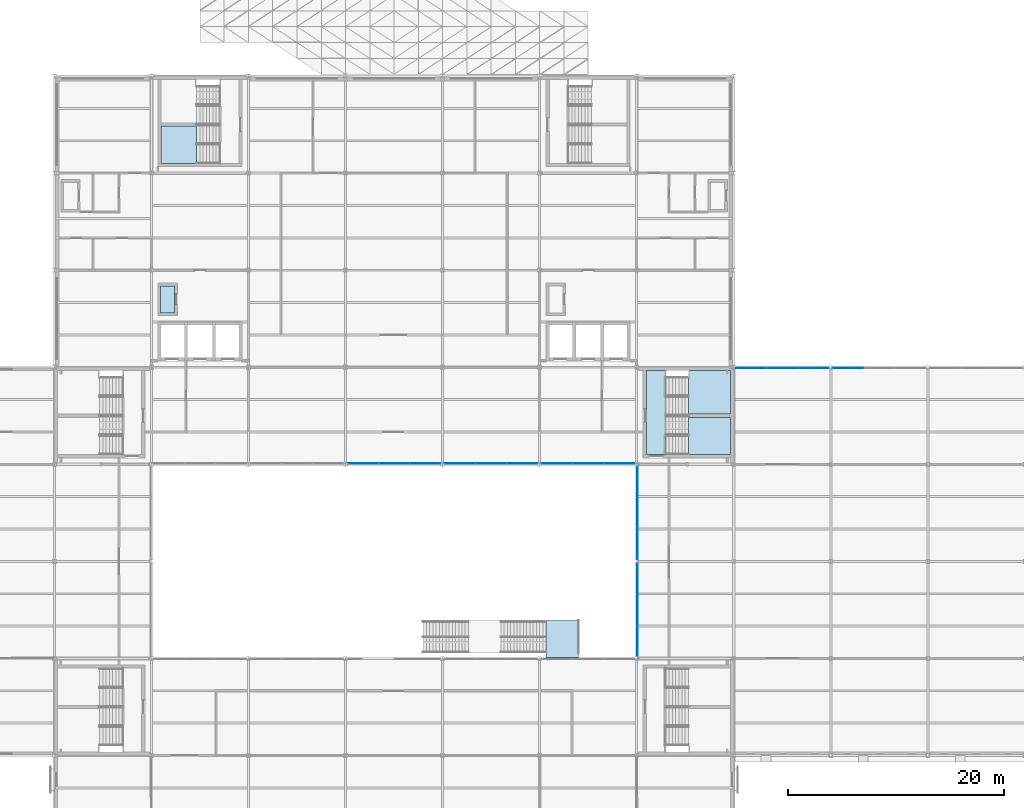
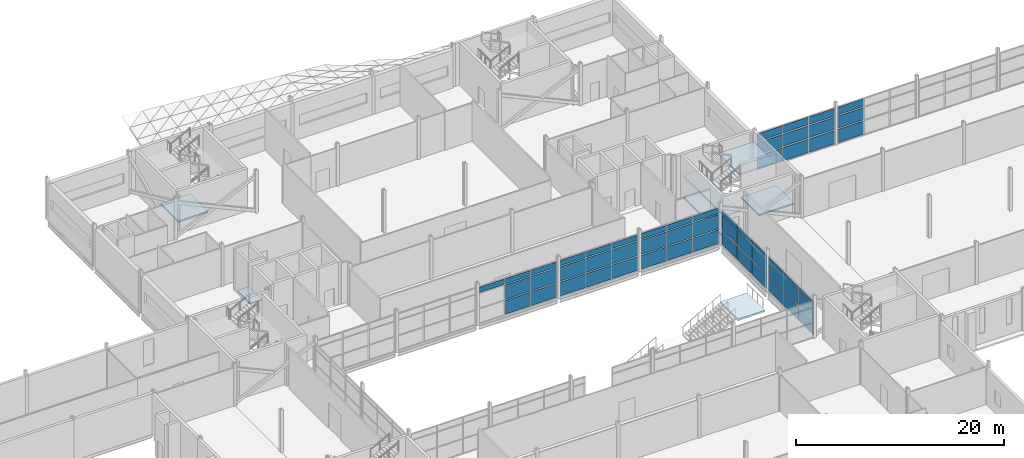
# One storey, part 70 of 112: 55 plates, 7 slabs, 10 elements without a shape of their own.
"""IFC4 building model written with IfcOpenShell, lengths in metres."""

from ifc_helpers import new_model, si_unit, direction, frame, origin, origin_2d, place, context, subcontext, project, spatial, polyline, rectangle, outline, extrude, material, layer, layer_set, type_object, element, aggregate, save


model = new_model("IFC4")

# Units and contexts
model_context = context("Model", 3, precision=1e-05, world=origin(), true_north=direction((0.0, 1.0)))
body_context = subcontext(model_context, "Body", "Model", "MODEL_VIEW")
ifc_project = project(units=[si_unit("LENGTHUNIT", "METRE"), si_unit("AREAUNIT", "SQUARE_METRE"), si_unit("VOLUMEUNIT", "CUBIC_METRE"), si_unit("PLANEANGLEUNIT", "RADIAN"), si_unit("MASSUNIT", "GRAM", prefix="KILO")], contexts=[model_context])

# Site, building, storey
site_placement = place(None, origin())
site = spatial("IfcSite", under=ifc_project, at=site_placement, CompositionType="ELEMENT")
building_placement = place(site_placement, origin())
building = spatial("IfcBuilding", under=site, at=building_placement, Name="Shorebreak Coast Museum", CompositionType="ELEMENT")
storey_placement = place(building_placement, frame((0.0, 0.0, 6.0)))
storey = spatial("IfcBuildingStorey", under=building, at=storey_placement, Name="L01", CompositionType="ELEMENT", Elevation=6.0)

# Stair, slab
ifc_material_1 = material(Name="Concrete N40 (40 MPa)", Category="concrete")
stair_type_1 = type_object("IfcStairType", Name="Feature stair run 5 m", PredefinedType="TWO_STRAIGHT_RUN_STAIR", material=ifc_material_1)
stair_1_placement = place(storey_placement, origin())
stair_1 = element("IfcStair", 1, at=stair_1_placement, inside=storey, type_object=stair_type_1, Name="Feature stair FS-L01", PredefinedType="TWO_STRAIGHT_RUN_STAIR")
ifc_material_2 = material(Name="Concrete N40 (40 MPa)", Category="concrete")
ifc_layer_1 = layer(ifc_material_2, 0.199951171875)
ifc_layer_set_1 = layer_set([ifc_layer_1], Name="Concrete N40 (40 MPa)")
slab_type_1 = type_object("IfcSlabType", Name="Feature stair landing 200", PredefinedType="LANDING", material=ifc_layer_set_1)
slab_1_placement = place(storey_placement, frame((0.0, 0.0, 4.800048828125)))
slab_1 = element("IfcSlab", 2, at=slab_1_placement, type_object=slab_type_1, Name="FS-L01 landing 2", PredefinedType="LANDING", context=body_context, shape_type="SweptSolid", body=[
    extrude(outline(polyline([(99.60009765625, 63.10009765625), (102.60009765625, 63.10009765625), (102.60009765625, 66.5), (99.60009765625, 66.5), (99.60009765625, 63.10009765625)])), origin(), (0.0, 0.0, 1.0), 0.199951171875),
])
aggregate(stair_1, [slab_1])

# Curtain wall, plates
ifc_material_3 = material(Name="Aluminium", Category="aluminium")
ifc_layer_2 = layer(ifc_material_3, 0.1201171875)
ifc_layer_set_2 = layer_set([ifc_layer_2], Name="Aluminium")
curtain_wall_type_1 = type_object("IfcCurtainWallType", Name="Atrium fire screen", PredefinedType="NOTDEFINED", material=ifc_layer_set_2)
curtain_wall_1_placement = place(storey_placement, origin())
curtain_wall_1 = element("IfcCurtainWall", 3, at=curtain_wall_1_placement, inside=storey, type_object=curtain_wall_type_1, Name="Atrium screen L01 N 9", PredefinedType="NOTDEFINED")
ifc_material_4 = material(Name="Glass", Category="glass")
ifc_layer_3 = layer(ifc_material_4, 0.034912109375)
ifc_layer_set_3 = layer_set([ifc_layer_3], Name="Glass")
plate_type_1 = type_object("IfcPlateType", Name="Fire-resisting glass panel 35", PredefinedType="CURTAIN_PANEL", material=ifc_layer_set_3)
plate_1_placement = place(storey_placement, frame((82.6162109375, 81.06005859375, 3.66015625), z_axis=(0.0, 0.0, 1.0), x_axis=(1.0, 0.0, 0.0)))
plate_1 = element("IfcPlate", 4, at=plate_1_placement, type_object=plate_type_1, Name="CW4 panel 1.3", PredefinedType="CURTAIN_PANEL", context=body_context, shape_type="SweptSolid", body=[
    extrude(rectangle(XDim=2.8212890625, YDim=0.034912109375, at=origin_2d()), origin(), (0.0, 0.0, 1.0), 0.642333984375),
])
plate_2_placement = place(storey_placement, frame((85.5, 81.06005859375, 0.119873046875), z_axis=(0.0, 0.0, 1.0), x_axis=(1.0, 0.0, 0.0)))
plate_2 = element("IfcPlate", 5, at=plate_2_placement, type_object=plate_type_1, Name="CW4 panel 2.1", PredefinedType="CURTAIN_PANEL", context=body_context, shape_type="SweptSolid", body=[
    extrude(rectangle(XDim=2.846435546875, YDim=0.034912109375, at=origin_2d()), origin(), (0.0, 0.0, 1.0), 1.6201171875),
])
plate_3_placement = place(storey_placement, frame((85.5, 81.06005859375, 1.85986328125), z_axis=(0.0, 0.0, 1.0), x_axis=(1.0, 0.0, 0.0)))
plate_3 = element("IfcPlate", 6, at=plate_3_placement, type_object=plate_type_1, Name="CW4 panel 2.2", PredefinedType="CURTAIN_PANEL", context=body_context, shape_type="SweptSolid", body=[
    extrude(rectangle(XDim=2.846435546875, YDim=0.034912109375, at=origin_2d()), origin(), (0.0, 0.0, 1.0), 1.679931640625),
])
plate_4_placement = place(storey_placement, frame((85.5, 81.06005859375, 3.66015625), z_axis=(0.0, 0.0, 1.0), x_axis=(1.0, 0.0, 0.0)))
plate_4 = element("IfcPlate", 7, at=plate_4_placement, type_object=plate_type_1, Name="CW4 panel 2.3", PredefinedType="CURTAIN_PANEL", context=body_context, shape_type="SweptSolid", body=[
    extrude(rectangle(XDim=2.846435546875, YDim=0.034912109375, at=origin_2d()), origin(), (0.0, 0.0, 1.0), 0.642333984375),
])
plate_5_placement = place(storey_placement, frame((88.3837890625, 81.06005859375, 0.119873046875), z_axis=(0.0, 0.0, 1.0), x_axis=(1.0, 0.0, 0.0)))
plate_5 = element("IfcPlate", 8, at=plate_5_placement, type_object=plate_type_1, Name="CW4 panel 3.1", PredefinedType="CURTAIN_PANEL", context=body_context, shape_type="SweptSolid", body=[
    extrude(rectangle(XDim=2.8212890625, YDim=0.034912109375, at=origin_2d()), origin(), (0.0, 0.0, 1.0), 1.6201171875),
])
plate_6_placement = place(storey_placement, frame((88.3837890625, 81.06005859375, 1.85986328125), z_axis=(0.0, 0.0, 1.0), x_axis=(1.0, 0.0, 0.0)))
plate_6 = element("IfcPlate", 9, at=plate_6_placement, type_object=plate_type_1, Name="CW4 panel 3.2", PredefinedType="CURTAIN_PANEL", context=body_context, shape_type="SweptSolid", body=[
    extrude(rectangle(XDim=2.8212890625, YDim=0.034912109375, at=origin_2d()), origin(), (0.0, 0.0, 1.0), 1.679931640625),
])
plate_7_placement = place(storey_placement, frame((88.3837890625, 81.06005859375, 3.66015625), z_axis=(0.0, 0.0, 1.0), x_axis=(1.0, 0.0, 0.0)))
plate_7 = element("IfcPlate", 10, at=plate_7_placement, type_object=plate_type_1, Name="CW4 panel 3.3", PredefinedType="CURTAIN_PANEL", context=body_context, shape_type="SweptSolid", body=[
    extrude(rectangle(XDim=2.8212890625, YDim=0.034912109375, at=origin_2d()), origin(), (0.0, 0.0, 1.0), 0.642333984375),
])
aggregate(curtain_wall_1, [plate_1, plate_2, plate_3, plate_4, plate_5, plate_6, plate_7])

curtain_wall_2_placement = place(storey_placement, origin())
curtain_wall_2 = element("IfcCurtainWall", 11, at=curtain_wall_2_placement, inside=storey, type_object=curtain_wall_type_1, Name="Atrium screen L01 N 10", PredefinedType="NOTDEFINED")
plate_8_placement = place(storey_placement, frame((91.6162109375, 81.06005859375, 0.119873046875), z_axis=(0.0, 0.0, 1.0), x_axis=(1.0, 0.0, 0.0)))
plate_8 = element("IfcPlate", 12, at=plate_8_placement, type_object=plate_type_1, Name="CW5 panel 1.1", PredefinedType="CURTAIN_PANEL", context=body_context, shape_type="SweptSolid", body=[
    extrude(rectangle(XDim=2.8212890625, YDim=0.034912109375, at=origin_2d()), origin(), (0.0, 0.0, 1.0), 1.6201171875),
])
plate_9_placement = place(storey_placement, frame((91.6162109375, 81.06005859375, 1.85986328125), z_axis=(0.0, 0.0, 1.0), x_axis=(1.0, 0.0, 0.0)))
plate_9 = element("IfcPlate", 13, at=plate_9_placement, type_object=plate_type_1, Name="CW5 panel 1.2", PredefinedType="CURTAIN_PANEL", context=body_context, shape_type="SweptSolid", body=[
    extrude(rectangle(XDim=2.8212890625, YDim=0.034912109375, at=origin_2d()), origin(), (0.0, 0.0, 1.0), 1.679931640625),
])
plate_10_placement = place(storey_placement, frame((91.6162109375, 81.06005859375, 3.66015625), z_axis=(0.0, 0.0, 1.0), x_axis=(1.0, 0.0, 0.0)))
plate_10 = element("IfcPlate", 14, at=plate_10_placement, type_object=plate_type_1, Name="CW5 panel 1.3", PredefinedType="CURTAIN_PANEL", context=body_context, shape_type="SweptSolid", body=[
    extrude(rectangle(XDim=2.8212890625, YDim=0.034912109375, at=origin_2d()), origin(), (0.0, 0.0, 1.0), 0.642333984375),
])
plate_11_placement = place(storey_placement, frame((94.5, 81.06005859375, 0.119873046875), z_axis=(0.0, 0.0, 1.0), x_axis=(1.0, 0.0, 0.0)))
plate_11 = element("IfcPlate", 15, at=plate_11_placement, type_object=plate_type_1, Name="CW5 panel 2.1", PredefinedType="CURTAIN_PANEL", context=body_context, shape_type="SweptSolid", body=[
    extrude(rectangle(XDim=2.846435546875, YDim=0.034912109375, at=origin_2d()), origin(), (0.0, 0.0, 1.0), 1.6201171875),
])
plate_12_placement = place(storey_placement, frame((94.5, 81.06005859375, 1.85986328125), z_axis=(0.0, 0.0, 1.0), x_axis=(1.0, 0.0, 0.0)))
plate_12 = element("IfcPlate", 16, at=plate_12_placement, type_object=plate_type_1, Name="CW5 panel 2.2", PredefinedType="CURTAIN_PANEL", context=body_context, shape_type="SweptSolid", body=[
    extrude(rectangle(XDim=2.846435546875, YDim=0.034912109375, at=origin_2d()), origin(), (0.0, 0.0, 1.0), 1.679931640625),
])
plate_13_placement = place(storey_placement, frame((94.5, 81.06005859375, 3.66015625), z_axis=(0.0, 0.0, 1.0), x_axis=(1.0, 0.0, 0.0)))
plate_13 = element("IfcPlate", 17, at=plate_13_placement, type_object=plate_type_1, Name="CW5 panel 2.3", PredefinedType="CURTAIN_PANEL", context=body_context, shape_type="SweptSolid", body=[
    extrude(rectangle(XDim=2.846435546875, YDim=0.034912109375, at=origin_2d()), origin(), (0.0, 0.0, 1.0), 0.642333984375),
])
plate_14_placement = place(storey_placement, frame((97.3837890625, 81.06005859375, 0.119873046875), z_axis=(0.0, 0.0, 1.0), x_axis=(1.0, 0.0, 0.0)))
plate_14 = element("IfcPlate", 18, at=plate_14_placement, type_object=plate_type_1, Name="CW5 panel 3.1", PredefinedType="CURTAIN_PANEL", context=body_context, shape_type="SweptSolid", body=[
    extrude(rectangle(XDim=2.8212890625, YDim=0.034912109375, at=origin_2d()), origin(), (0.0, 0.0, 1.0), 1.6201171875),
])
plate_15_placement = place(storey_placement, frame((97.3837890625, 81.06005859375, 1.85986328125), z_axis=(0.0, 0.0, 1.0), x_axis=(1.0, 0.0, 0.0)))
plate_15 = element("IfcPlate", 19, at=plate_15_placement, type_object=plate_type_1, Name="CW5 panel 3.2", PredefinedType="CURTAIN_PANEL", context=body_context, shape_type="SweptSolid", body=[
    extrude(rectangle(XDim=2.8212890625, YDim=0.034912109375, at=origin_2d()), origin(), (0.0, 0.0, 1.0), 1.679931640625),
])
plate_16_placement = place(storey_placement, frame((97.3837890625, 81.06005859375, 3.66015625), z_axis=(0.0, 0.0, 1.0), x_axis=(1.0, 0.0, 0.0)))
plate_16 = element("IfcPlate", 20, at=plate_16_placement, type_object=plate_type_1, Name="CW5 panel 3.3", PredefinedType="CURTAIN_PANEL", context=body_context, shape_type="SweptSolid", body=[
    extrude(rectangle(XDim=2.8212890625, YDim=0.034912109375, at=origin_2d()), origin(), (0.0, 0.0, 1.0), 0.642333984375),
])
aggregate(curtain_wall_2, [plate_8, plate_9, plate_10, plate_11, plate_12, plate_13, plate_14, plate_15, plate_16])

curtain_wall_3_placement = place(storey_placement, origin())
curtain_wall_3 = element("IfcCurtainWall", 21, at=curtain_wall_3_placement, inside=storey, type_object=curtain_wall_type_1, Name="Atrium screen L01 N 11", PredefinedType="NOTDEFINED")
plate_17_placement = place(storey_placement, frame((100.6162109375, 81.06005859375, 0.119873046875), z_axis=(0.0, 0.0, 1.0), x_axis=(1.0, 0.0, 0.0)))
plate_17 = element("IfcPlate", 22, at=plate_17_placement, type_object=plate_type_1, Name="CW6 panel 1.1", PredefinedType="CURTAIN_PANEL", context=body_context, shape_type="SweptSolid", body=[
    extrude(rectangle(XDim=2.8212890625, YDim=0.034912109375, at=origin_2d()), origin(), (0.0, 0.0, 1.0), 1.6201171875),
])
plate_18_placement = place(storey_placement, frame((100.6162109375, 81.06005859375, 1.85986328125), z_axis=(0.0, 0.0, 1.0), x_axis=(1.0, 0.0, 0.0)))
plate_18 = element("IfcPlate", 23, at=plate_18_placement, type_object=plate_type_1, Name="CW6 panel 1.2", PredefinedType="CURTAIN_PANEL", context=body_context, shape_type="SweptSolid", body=[
    extrude(rectangle(XDim=2.8212890625, YDim=0.034912109375, at=origin_2d()), origin(), (0.0, 0.0, 1.0), 1.679931640625),
])
plate_19_placement = place(storey_placement, frame((100.6162109375, 81.06005859375, 3.66015625), z_axis=(0.0, 0.0, 1.0), x_axis=(1.0, 0.0, 0.0)))
plate_19 = element("IfcPlate", 24, at=plate_19_placement, type_object=plate_type_1, Name="CW6 panel 1.3", PredefinedType="CURTAIN_PANEL", context=body_context, shape_type="SweptSolid", body=[
    extrude(rectangle(XDim=2.8212890625, YDim=0.034912109375, at=origin_2d()), origin(), (0.0, 0.0, 1.0), 0.642333984375),
])
plate_20_placement = place(storey_placement, frame((103.5, 81.06005859375, 0.119873046875), z_axis=(0.0, 0.0, 1.0), x_axis=(1.0, 0.0, 0.0)))
plate_20 = element("IfcPlate", 25, at=plate_20_placement, type_object=plate_type_1, Name="CW6 panel 2.1", PredefinedType="CURTAIN_PANEL", context=body_context, shape_type="SweptSolid", body=[
    extrude(rectangle(XDim=2.846435546875, YDim=0.034912109375, at=origin_2d()), origin(), (0.0, 0.0, 1.0), 1.6201171875),
])
plate_21_placement = place(storey_placement, frame((103.5, 81.06005859375, 1.85986328125), z_axis=(0.0, 0.0, 1.0), x_axis=(1.0, 0.0, 0.0)))
plate_21 = element("IfcPlate", 26, at=plate_21_placement, type_object=plate_type_1, Name="CW6 panel 2.2", PredefinedType="CURTAIN_PANEL", context=body_context, shape_type="SweptSolid", body=[
    extrude(rectangle(XDim=2.846435546875, YDim=0.034912109375, at=origin_2d()), origin(), (0.0, 0.0, 1.0), 1.679931640625),
])
plate_22_placement = place(storey_placement, frame((103.5, 81.06005859375, 3.66015625), z_axis=(0.0, 0.0, 1.0), x_axis=(1.0, 0.0, 0.0)))
plate_22 = element("IfcPlate", 27, at=plate_22_placement, type_object=plate_type_1, Name="CW6 panel 2.3", PredefinedType="CURTAIN_PANEL", context=body_context, shape_type="SweptSolid", body=[
    extrude(rectangle(XDim=2.846435546875, YDim=0.034912109375, at=origin_2d()), origin(), (0.0, 0.0, 1.0), 0.642333984375),
])
plate_23_placement = place(storey_placement, frame((106.3837890625, 81.06005859375, 0.119873046875), z_axis=(0.0, 0.0, 1.0), x_axis=(1.0, 0.0, 0.0)))
plate_23 = element("IfcPlate", 28, at=plate_23_placement, type_object=plate_type_1, Name="CW6 panel 3.1", PredefinedType="CURTAIN_PANEL", context=body_context, shape_type="SweptSolid", body=[
    extrude(rectangle(XDim=2.8212890625, YDim=0.034912109375, at=origin_2d()), origin(), (0.0, 0.0, 1.0), 1.6201171875),
])
plate_24_placement = place(storey_placement, frame((106.3837890625, 81.06005859375, 1.85986328125), z_axis=(0.0, 0.0, 1.0), x_axis=(1.0, 0.0, 0.0)))
plate_24 = element("IfcPlate", 29, at=plate_24_placement, type_object=plate_type_1, Name="CW6 panel 3.2", PredefinedType="CURTAIN_PANEL", context=body_context, shape_type="SweptSolid", body=[
    extrude(rectangle(XDim=2.8212890625, YDim=0.034912109375, at=origin_2d()), origin(), (0.0, 0.0, 1.0), 1.679931640625),
])
plate_25_placement = place(storey_placement, frame((106.3837890625, 81.06005859375, 3.66015625), z_axis=(0.0, 0.0, 1.0), x_axis=(1.0, 0.0, 0.0)))
plate_25 = element("IfcPlate", 30, at=plate_25_placement, type_object=plate_type_1, Name="CW6 panel 3.3", PredefinedType="CURTAIN_PANEL", context=body_context, shape_type="SweptSolid", body=[
    extrude(rectangle(XDim=2.8212890625, YDim=0.034912109375, at=origin_2d()), origin(), (0.0, 0.0, 1.0), 0.642333984375),
])
aggregate(curtain_wall_3, [plate_17, plate_18, plate_19, plate_20, plate_21, plate_22, plate_23, plate_24, plate_25])

curtain_wall_4_placement = place(storey_placement, origin())
curtain_wall_4 = element("IfcCurtainWall", 31, at=curtain_wall_4_placement, inside=storey, type_object=curtain_wall_type_1, Name="Atrium screen L01 E 14", PredefinedType="NOTDEFINED")
plate_26_placement = place(storey_placement, frame((108.06005859375, 64.63330078125, 0.119873046875), z_axis=(0.0, 0.0, 1.0), x_axis=(0.0, 1.0, 0.0)))
plate_26 = element("IfcPlate", 32, at=plate_26_placement, type_object=plate_type_1, Name="CW6 panel 1.1", PredefinedType="CURTAIN_PANEL", context=body_context, shape_type="SweptSolid", body=[
    extrude(rectangle(XDim=2.811279296875, YDim=0.034912109375, at=origin_2d()), origin(), (0.0, 0.0, 1.0), 1.6201171875),
])
plate_27_placement = place(storey_placement, frame((108.06005859375, 64.63330078125, 1.85986328125), z_axis=(0.0, 0.0, 1.0), x_axis=(0.0, 1.0, 0.0)))
plate_27 = element("IfcPlate", 33, at=plate_27_placement, type_object=plate_type_1, Name="CW6 panel 1.2", PredefinedType="CURTAIN_PANEL", context=body_context, shape_type="SweptSolid", body=[
    extrude(rectangle(XDim=2.811279296875, YDim=0.034912109375, at=origin_2d()), origin(), (0.0, 0.0, 1.0), 1.679931640625),
])
plate_28_placement = place(storey_placement, frame((108.06005859375, 64.63330078125, 3.659912109375), z_axis=(0.0, 0.0, 1.0), x_axis=(0.0, 1.0, 0.0)))
plate_28 = element("IfcPlate", 34, at=plate_28_placement, type_object=plate_type_1, Name="CW6 panel 1.3", PredefinedType="CURTAIN_PANEL", context=body_context, shape_type="SweptSolid", body=[
    extrude(rectangle(XDim=2.811279296875, YDim=0.034912109375, at=origin_2d()), origin(), (0.0, 0.0, 1.0), 0.43798828125),
])
plate_29_placement = place(storey_placement, frame((108.06005859375, 67.507080078125, 0.119873046875), z_axis=(0.0, 0.0, 1.0), x_axis=(0.0, 1.0, 0.0)))
plate_29 = element("IfcPlate", 35, at=plate_29_placement, type_object=plate_type_1, Name="CW6 panel 2.1", PredefinedType="CURTAIN_PANEL", context=body_context, shape_type="SweptSolid", body=[
    extrude(rectangle(XDim=2.836181640625, YDim=0.034912109375, at=origin_2d()), origin(), (0.0, 0.0, 1.0), 1.6201171875),
])
plate_30_placement = place(storey_placement, frame((108.06005859375, 67.507080078125, 1.85986328125), z_axis=(0.0, 0.0, 1.0), x_axis=(0.0, 1.0, 0.0)))
plate_30 = element("IfcPlate", 36, at=plate_30_placement, type_object=plate_type_1, Name="CW6 panel 2.2", PredefinedType="CURTAIN_PANEL", context=body_context, shape_type="SweptSolid", body=[
    extrude(rectangle(XDim=2.836181640625, YDim=0.034912109375, at=origin_2d()), origin(), (0.0, 0.0, 1.0), 1.679931640625),
])
plate_31_placement = place(storey_placement, frame((108.06005859375, 67.507080078125, 3.659912109375), z_axis=(0.0, 0.0, 1.0), x_axis=(0.0, 1.0, 0.0)))
plate_31 = element("IfcPlate", 37, at=plate_31_placement, type_object=plate_type_1, Name="CW6 panel 2.3", PredefinedType="CURTAIN_PANEL", context=body_context, shape_type="SweptSolid", body=[
    extrude(rectangle(XDim=2.836181640625, YDim=0.034912109375, at=origin_2d()), origin(), (0.0, 0.0, 1.0), 0.43798828125),
])
plate_32_placement = place(storey_placement, frame((108.06005859375, 70.380859375, 0.119873046875), z_axis=(0.0, 0.0, 1.0), x_axis=(0.0, 1.0, 0.0)))
plate_32 = element("IfcPlate", 38, at=plate_32_placement, type_object=plate_type_1, Name="CW6 panel 3.1", PredefinedType="CURTAIN_PANEL", context=body_context, shape_type="SweptSolid", body=[
    extrude(rectangle(XDim=2.811279296875, YDim=0.034912109375, at=origin_2d()), origin(), (0.0, 0.0, 1.0), 1.6201171875),
])
plate_33_placement = place(storey_placement, frame((108.06005859375, 70.380859375, 1.85986328125), z_axis=(0.0, 0.0, 1.0), x_axis=(0.0, 1.0, 0.0)))
plate_33 = element("IfcPlate", 39, at=plate_33_placement, type_object=plate_type_1, Name="CW6 panel 3.2", PredefinedType="CURTAIN_PANEL", context=body_context, shape_type="SweptSolid", body=[
    extrude(rectangle(XDim=2.811279296875, YDim=0.034912109375, at=origin_2d()), origin(), (0.0, 0.0, 1.0), 1.679931640625),
])
plate_34_placement = place(storey_placement, frame((108.06005859375, 70.380859375, 3.659912109375), z_axis=(0.0, 0.0, 1.0), x_axis=(0.0, 1.0, 0.0)))
plate_34 = element("IfcPlate", 40, at=plate_34_placement, type_object=plate_type_1, Name="CW6 panel 3.3", PredefinedType="CURTAIN_PANEL", context=body_context, shape_type="SweptSolid", body=[
    extrude(rectangle(XDim=2.811279296875, YDim=0.034912109375, at=origin_2d()), origin(), (0.0, 0.0, 1.0), 0.43798828125),
])
aggregate(curtain_wall_4, [plate_26, plate_27, plate_28, plate_29, plate_30, plate_31, plate_32, plate_33, plate_34])

curtain_wall_5_placement = place(storey_placement, origin())
curtain_wall_5 = element("IfcCurtainWall", 41, at=curtain_wall_5_placement, inside=storey, type_object=curtain_wall_type_1, Name="Atrium screen L01 E 15", PredefinedType="NOTDEFINED")
plate_35_placement = place(storey_placement, frame((108.06005859375, 73.619140625, 0.119873046875), z_axis=(0.0, 0.0, 1.0), x_axis=(0.0, 1.0, 0.0)))
plate_35 = element("IfcPlate", 42, at=plate_35_placement, type_object=plate_type_1, Name="CW4 panel 1.1", PredefinedType="CURTAIN_PANEL", context=body_context, shape_type="SweptSolid", body=[
    extrude(rectangle(XDim=2.811279296875, YDim=0.034912109375, at=origin_2d()), origin(), (0.0, 0.0, 1.0), 1.6201171875),
])
plate_36_placement = place(storey_placement, frame((108.06005859375, 73.619140625, 1.85986328125), z_axis=(0.0, 0.0, 1.0), x_axis=(0.0, 1.0, 0.0)))
plate_36 = element("IfcPlate", 43, at=plate_36_placement, type_object=plate_type_1, Name="CW4 panel 1.2", PredefinedType="CURTAIN_PANEL", context=body_context, shape_type="SweptSolid", body=[
    extrude(rectangle(XDim=2.811279296875, YDim=0.034912109375, at=origin_2d()), origin(), (0.0, 0.0, 1.0), 1.679931640625),
])
plate_37_placement = place(storey_placement, frame((108.06005859375, 73.619140625, 3.659912109375), z_axis=(0.0, 0.0, 1.0), x_axis=(0.0, 1.0, 0.0)))
plate_37 = element("IfcPlate", 44, at=plate_37_placement, type_object=plate_type_1, Name="CW4 panel 1.3", PredefinedType="CURTAIN_PANEL", context=body_context, shape_type="SweptSolid", body=[
    extrude(rectangle(XDim=2.811279296875, YDim=0.034912109375, at=origin_2d()), origin(), (0.0, 0.0, 1.0), 0.43310546875),
])
plate_38_placement = place(storey_placement, frame((108.06005859375, 76.492919921875, 0.119873046875), z_axis=(0.0, 0.0, 1.0), x_axis=(0.0, 1.0, 0.0)))
plate_38 = element("IfcPlate", 45, at=plate_38_placement, type_object=plate_type_1, Name="CW4 panel 2.1", PredefinedType="CURTAIN_PANEL", context=body_context, shape_type="SweptSolid", body=[
    extrude(rectangle(XDim=2.836181640625, YDim=0.034912109375, at=origin_2d()), origin(), (0.0, 0.0, 1.0), 1.6201171875),
])
plate_39_placement = place(storey_placement, frame((108.06005859375, 76.492919921875, 1.85986328125), z_axis=(0.0, 0.0, 1.0), x_axis=(0.0, 1.0, 0.0)))
plate_39 = element("IfcPlate", 46, at=plate_39_placement, type_object=plate_type_1, Name="CW4 panel 2.2", PredefinedType="CURTAIN_PANEL", context=body_context, shape_type="SweptSolid", body=[
    extrude(rectangle(XDim=2.836181640625, YDim=0.034912109375, at=origin_2d()), origin(), (0.0, 0.0, 1.0), 1.679931640625),
])
plate_40_placement = place(storey_placement, frame((108.06005859375, 76.492919921875, 3.659912109375), z_axis=(0.0, 0.0, 1.0), x_axis=(0.0, 1.0, 0.0)))
plate_40 = element("IfcPlate", 47, at=plate_40_placement, type_object=plate_type_1, Name="CW4 panel 2.3", PredefinedType="CURTAIN_PANEL", context=body_context, shape_type="SweptSolid", body=[
    extrude(rectangle(XDim=2.836181640625, YDim=0.034912109375, at=origin_2d()), origin(), (0.0, 0.0, 1.0), 0.43310546875),
])
plate_41_placement = place(storey_placement, frame((108.06005859375, 79.36669921875, 0.119873046875), z_axis=(0.0, 0.0, 1.0), x_axis=(0.0, 1.0, 0.0)))
plate_41 = element("IfcPlate", 48, at=plate_41_placement, type_object=plate_type_1, Name="CW4 panel 3.1", PredefinedType="CURTAIN_PANEL", context=body_context, shape_type="SweptSolid", body=[
    extrude(rectangle(XDim=2.811279296875, YDim=0.034912109375, at=origin_2d()), origin(), (0.0, 0.0, 1.0), 1.6201171875),
])
plate_42_placement = place(storey_placement, frame((108.06005859375, 79.36669921875, 1.85986328125), z_axis=(0.0, 0.0, 1.0), x_axis=(0.0, 1.0, 0.0)))
plate_42 = element("IfcPlate", 49, at=plate_42_placement, type_object=plate_type_1, Name="CW4 panel 3.2", PredefinedType="CURTAIN_PANEL", context=body_context, shape_type="SweptSolid", body=[
    extrude(rectangle(XDim=2.811279296875, YDim=0.034912109375, at=origin_2d()), origin(), (0.0, 0.0, 1.0), 1.679931640625),
])
plate_43_placement = place(storey_placement, frame((108.06005859375, 79.36669921875, 3.659912109375), z_axis=(0.0, 0.0, 1.0), x_axis=(0.0, 1.0, 0.0)))
plate_43 = element("IfcPlate", 50, at=plate_43_placement, type_object=plate_type_1, Name="CW4 panel 3.3", PredefinedType="CURTAIN_PANEL", context=body_context, shape_type="SweptSolid", body=[
    extrude(rectangle(XDim=2.811279296875, YDim=0.034912109375, at=origin_2d()), origin(), (0.0, 0.0, 1.0), 0.43310546875),
])
aggregate(curtain_wall_5, [plate_35, plate_36, plate_37, plate_38, plate_39, plate_40, plate_41, plate_42, plate_43])

# Slab
ifc_material_5 = material(Name="Concrete N40 (40 MPa)", Category="concrete")
ifc_layer_4 = layer(ifc_material_5, 0.10009765625)
ifc_layer_set_4 = layer_set([ifc_layer_4], Name="Concrete N40 (40 MPa)")
slab_type_2 = type_object("IfcSlabType", Name="Riser platform 100", PredefinedType="USERDEFINED", material=ifc_layer_set_4)
slab_2_placement = place(storey_placement, frame((0.0, 0.0, -0.10009765625)))
element("IfcSlab", 51, at=slab_2_placement, inside=storey, type_object=slab_type_2, Name="Riser platform R-LBW L01", ObjectType="RISER PLATFORM", PredefinedType="USERDEFINED", context=body_context, shape_type="SweptSolid", body=[
    extrude(outline(polyline([(63.85009765625, 95.050048828125), (65.14990234375, 95.050048828125), (65.14990234375, 97.550048828125), (63.85009765625, 97.550048828125), (63.85009765625, 95.050048828125)])), origin(), (0.0, 0.0, 1.0), 0.10009765625),
])

# Stair, slabs
ifc_material_6 = material(Name="Concrete N40 (40 MPa)", Category="concrete")
stair_type_2 = type_object("IfcStairType", Name="Stair run 5 m", PredefinedType="DOUBLE_RETURN_STAIR", material=ifc_material_6)
stair_2_placement = place(storey_placement, origin())
stair_2 = element("IfcStair", 52, at=stair_2_placement, inside=storey, type_object=stair_type_2, Name="Exit stair ST04-L01", PredefinedType="DOUBLE_RETURN_STAIR")
ifc_material_7 = material(Name="Concrete N40 (40 MPa)", Category="concrete")
ifc_layer_5 = layer(ifc_material_7, 0.199951171875)
ifc_layer_set_5 = layer_set([ifc_layer_5], Name="Concrete N40 (40 MPa)")
slab_type_3 = type_object("IfcSlabType", Name="Stair landing 200", PredefinedType="LANDING", material=ifc_layer_set_5)
slab_3_placement = place(storey_placement, frame((0.0, 0.0, -0.199951171875)))
slab_3 = element("IfcSlab", 53, at=slab_3_placement, type_object=slab_type_3, Name="ST04-L01 landing 1", PredefinedType="LANDING", context=body_context, shape_type="SweptSolid", body=[
    extrude(outline(polyline([(108.89990234375, 81.89990234375), (110.699951171875, 81.89990234375), (110.699951171875, 89.699951171875), (108.89990234375, 89.699951171875), (108.89990234375, 81.89990234375)])), origin(), (0.0, 0.0, 1.0), 0.199951171875),
])
slab_4_placement = place(storey_placement, frame((0.0, 0.0, 2.300048828125)))
slab_4 = element("IfcSlab", 54, at=slab_4_placement, type_object=slab_type_3, Name="ST04-L01 landing 2", PredefinedType="LANDING", context=body_context, shape_type="SweptSolid", body=[
    extrude(outline(polyline([(108.89990234375, 81.89990234375), (110.699951171875, 81.89990234375), (110.699951171875, 89.699951171875), (108.89990234375, 89.699951171875), (108.89990234375, 81.89990234375)])), origin(), (0.0, 0.0, 1.0), 0.199951171875),
])
slab_5_placement = place(storey_placement, frame((0.0, 0.0, 1.050048828125)))
slab_5 = element("IfcSlab", 55, at=slab_5_placement, type_object=slab_type_3, Name="ST04-L01 landing 3", PredefinedType="LANDING", context=body_context, shape_type="SweptSolid", body=[
    extrude(outline(polyline([(112.800048828125, 81.89990234375), (116.699951171875, 81.89990234375), (116.699951171875, 85.35009765625), (112.800048828125, 85.35009765625), (112.800048828125, 81.89990234375)])), origin(), (0.0, 0.0, 1.0), 0.199951171875),
])
slab_6_placement = place(storey_placement, frame((0.0, 0.0, 3.550048828125)))
slab_6 = element("IfcSlab", 56, at=slab_6_placement, type_object=slab_type_3, Name="ST04-L01 landing 4", PredefinedType="LANDING", context=body_context, shape_type="SweptSolid", body=[
    extrude(outline(polyline([(112.800048828125, 85.64990234375), (116.699951171875, 85.64990234375), (116.699951171875, 89.699951171875), (112.800048828125, 89.699951171875), (112.800048828125, 85.64990234375)])), origin(), (0.0, 0.0, 1.0), 0.199951171875),
])
aggregate(stair_2, [slab_3, slab_4, slab_5, slab_6])

# Stair, slab
stair_3_placement = place(storey_placement, origin())
stair_3 = element("IfcStair", 57, at=stair_3_placement, inside=storey, type_object=stair_type_2, Name="Exit stair ST09-L01", PredefinedType="DOUBLE_RETURN_STAIR")
slab_7_placement = place(storey_placement, frame((0.0, 0.0, 1.050048828125)))
slab_7 = element("IfcSlab", 58, at=slab_7_placement, type_object=slab_type_3, Name="ST09-L01 landing 3", PredefinedType="LANDING", context=body_context, shape_type="SweptSolid", body=[
    extrude(outline(polyline([(63.89990234375, 108.89990234375), (67.199951171875, 108.89990234375), (67.199951171875, 112.35009765625), (63.89990234375, 112.35009765625), (63.89990234375, 108.89990234375)])), origin(), (0.0, 0.0, 1.0), 0.199951171875),
])
aggregate(stair_3, [slab_7])

# Curtain wall, plates
ifc_material_8 = material(Name="Aluminium", Category="aluminium")
ifc_layer_6 = layer(ifc_material_8, 0.14990234375)
ifc_layer_set_6 = layer_set([ifc_layer_6], Name="Aluminium")
curtain_wall_type_2 = type_object("IfcCurtainWallType", Name="Storefront curtain wall", PredefinedType="NOTDEFINED", material=ifc_layer_set_6)
curtain_wall_6_placement = place(storey_placement, origin())
curtain_wall_6 = element("IfcCurtainWall", 59, at=curtain_wall_6_placement, inside=storey, type_object=curtain_wall_type_2, Name="Storefront L01 N 13", PredefinedType="NOTDEFINED")
ifc_material_9 = material(Name="Glass", Category="glass")
ifc_layer_7 = layer(ifc_material_9, 0.031982421875)
ifc_layer_set_7 = layer_set([ifc_layer_7], Name="Glass")
plate_type_2 = type_object("IfcPlateType", Name="Storefront glass panel 32", PredefinedType="CURTAIN_PANEL", material=ifc_layer_set_7)
plate_44_placement = place(storey_placement, frame((118.6171875, 89.925048828125, 0.14990234375), z_axis=(0.0, 0.0, 1.0), x_axis=(1.0, 0.0, 0.0)))
plate_44 = element("IfcPlate", 60, at=plate_44_placement, type_object=plate_type_2, Name="CW8 panel 1.1", PredefinedType="CURTAIN_PANEL", context=body_context, shape_type="SweptSolid", body=[
    extrude(rectangle(XDim=2.8232421875, YDim=0.031982421875, at=origin_2d()), origin(), (0.0, 0.0, 1.0), 1.562744140625),
])
plate_45_placement = place(storey_placement, frame((118.6171875, 89.925048828125, 1.86279296875), z_axis=(0.0, 0.0, 1.0), x_axis=(1.0, 0.0, 0.0)))
plate_45 = element("IfcPlate", 61, at=plate_45_placement, type_object=plate_type_2, Name="CW8 panel 1.2", PredefinedType="CURTAIN_PANEL", context=body_context, shape_type="SweptSolid", body=[
    extrude(rectangle(XDim=2.8232421875, YDim=0.031982421875, at=origin_2d()), origin(), (0.0, 0.0, 1.0), 1.414306640625),
])
plate_46_placement = place(storey_placement, frame((118.6171875, 89.925048828125, 3.42724609375), z_axis=(0.0, 0.0, 1.0), x_axis=(1.0, 0.0, 0.0)))
plate_46 = element("IfcPlate", 62, at=plate_46_placement, type_object=plate_type_2, Name="CW8 panel 1.3", PredefinedType="CURTAIN_PANEL", context=body_context, shape_type="SweptSolid", body=[
    extrude(rectangle(XDim=2.8232421875, YDim=0.031982421875, at=origin_2d()), origin(), (0.0, 0.0, 1.0), 0.892333984375),
])
plate_47_placement = place(storey_placement, frame((121.502685546875, 89.925048828125, 0.14990234375), z_axis=(0.0, 0.0, 1.0), x_axis=(1.0, 0.0, 0.0)))
plate_47 = element("IfcPlate", 63, at=plate_47_placement, type_object=plate_type_2, Name="CW8 panel 2.1", PredefinedType="CURTAIN_PANEL", context=body_context, shape_type="SweptSolid", body=[
    extrude(rectangle(XDim=2.84814453125, YDim=0.031982421875, at=origin_2d()), origin(), (0.0, 0.0, 1.0), 1.562744140625),
])
plate_48_placement = place(storey_placement, frame((121.502685546875, 89.925048828125, 1.86279296875), z_axis=(0.0, 0.0, 1.0), x_axis=(1.0, 0.0, 0.0)))
plate_48 = element("IfcPlate", 64, at=plate_48_placement, type_object=plate_type_2, Name="CW8 panel 2.2", PredefinedType="CURTAIN_PANEL", context=body_context, shape_type="SweptSolid", body=[
    extrude(rectangle(XDim=2.84814453125, YDim=0.031982421875, at=origin_2d()), origin(), (0.0, 0.0, 1.0), 1.414306640625),
])
plate_49_placement = place(storey_placement, frame((121.502685546875, 89.925048828125, 3.42724609375), z_axis=(0.0, 0.0, 1.0), x_axis=(1.0, 0.0, 0.0)))
plate_49 = element("IfcPlate", 65, at=plate_49_placement, type_object=plate_type_2, Name="CW8 panel 2.3", PredefinedType="CURTAIN_PANEL", context=body_context, shape_type="SweptSolid", body=[
    extrude(rectangle(XDim=2.84814453125, YDim=0.031982421875, at=origin_2d()), origin(), (0.0, 0.0, 1.0), 0.892333984375),
])
plate_50_placement = place(storey_placement, frame((124.388427734375, 89.925048828125, 0.14990234375), z_axis=(0.0, 0.0, 1.0), x_axis=(1.0, 0.0, 0.0)))
plate_50 = element("IfcPlate", 66, at=plate_50_placement, type_object=plate_type_2, Name="CW8 panel 3.1", PredefinedType="CURTAIN_PANEL", context=body_context, shape_type="SweptSolid", body=[
    extrude(rectangle(XDim=2.8232421875, YDim=0.031982421875, at=origin_2d()), origin(), (0.0, 0.0, 1.0), 1.562744140625),
])
plate_51_placement = place(storey_placement, frame((124.388427734375, 89.925048828125, 1.86279296875), z_axis=(0.0, 0.0, 1.0), x_axis=(1.0, 0.0, 0.0)))
plate_51 = element("IfcPlate", 67, at=plate_51_placement, type_object=plate_type_2, Name="CW8 panel 3.2", PredefinedType="CURTAIN_PANEL", context=body_context, shape_type="SweptSolid", body=[
    extrude(rectangle(XDim=2.8232421875, YDim=0.031982421875, at=origin_2d()), origin(), (0.0, 0.0, 1.0), 1.414306640625),
])
plate_52_placement = place(storey_placement, frame((124.388427734375, 89.925048828125, 3.42724609375), z_axis=(0.0, 0.0, 1.0), x_axis=(1.0, 0.0, 0.0)))
plate_52 = element("IfcPlate", 68, at=plate_52_placement, type_object=plate_type_2, Name="CW8 panel 3.3", PredefinedType="CURTAIN_PANEL", context=body_context, shape_type="SweptSolid", body=[
    extrude(rectangle(XDim=2.8232421875, YDim=0.031982421875, at=origin_2d()), origin(), (0.0, 0.0, 1.0), 0.892333984375),
])
aggregate(curtain_wall_6, [plate_44, plate_45, plate_46, plate_47, plate_48, plate_49, plate_50, plate_51, plate_52])

curtain_wall_7_placement = place(storey_placement, origin())
curtain_wall_7 = element("IfcCurtainWall", 69, at=curtain_wall_7_placement, inside=storey, type_object=curtain_wall_type_2, Name="Storefront L01 N 14", PredefinedType="NOTDEFINED")
plate_53_placement = place(storey_placement, frame((127.612548828125, 89.925048828125, 0.14990234375), z_axis=(0.0, 0.0, 1.0), x_axis=(1.0, 0.0, 0.0)))
plate_53 = element("IfcPlate", 70, at=plate_53_placement, type_object=plate_type_2, Name="CW8 panel 1.1", PredefinedType="CURTAIN_PANEL", context=body_context, shape_type="SweptSolid", body=[
    extrude(rectangle(XDim=2.824951171875, YDim=0.031982421875, at=origin_2d()), origin(), (0.0, 0.0, 1.0), 1.562744140625),
])
plate_54_placement = place(storey_placement, frame((127.612548828125, 89.925048828125, 1.86279296875), z_axis=(0.0, 0.0, 1.0), x_axis=(1.0, 0.0, 0.0)))
plate_54 = element("IfcPlate", 71, at=plate_54_placement, type_object=plate_type_2, Name="CW8 panel 1.2", PredefinedType="CURTAIN_PANEL", context=body_context, shape_type="SweptSolid", body=[
    extrude(rectangle(XDim=2.824951171875, YDim=0.031982421875, at=origin_2d()), origin(), (0.0, 0.0, 1.0), 1.414306640625),
])
plate_55_placement = place(storey_placement, frame((127.612548828125, 89.925048828125, 3.42724609375), z_axis=(0.0, 0.0, 1.0), x_axis=(1.0, 0.0, 0.0)))
plate_55 = element("IfcPlate", 72, at=plate_55_placement, type_object=plate_type_2, Name="CW8 panel 1.3", PredefinedType="CURTAIN_PANEL", context=body_context, shape_type="SweptSolid", body=[
    extrude(rectangle(XDim=2.824951171875, YDim=0.031982421875, at=origin_2d()), origin(), (0.0, 0.0, 1.0), 0.892333984375),
])
aggregate(curtain_wall_7, [plate_53, plate_54, plate_55])

save(model, "model.ifc")
